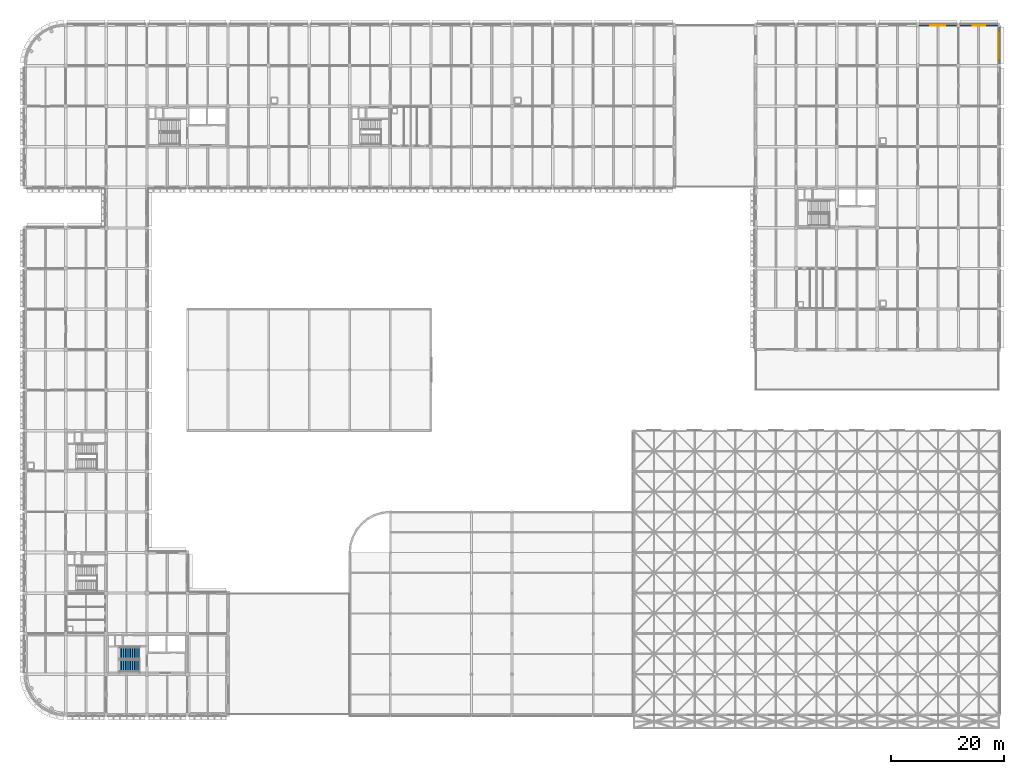
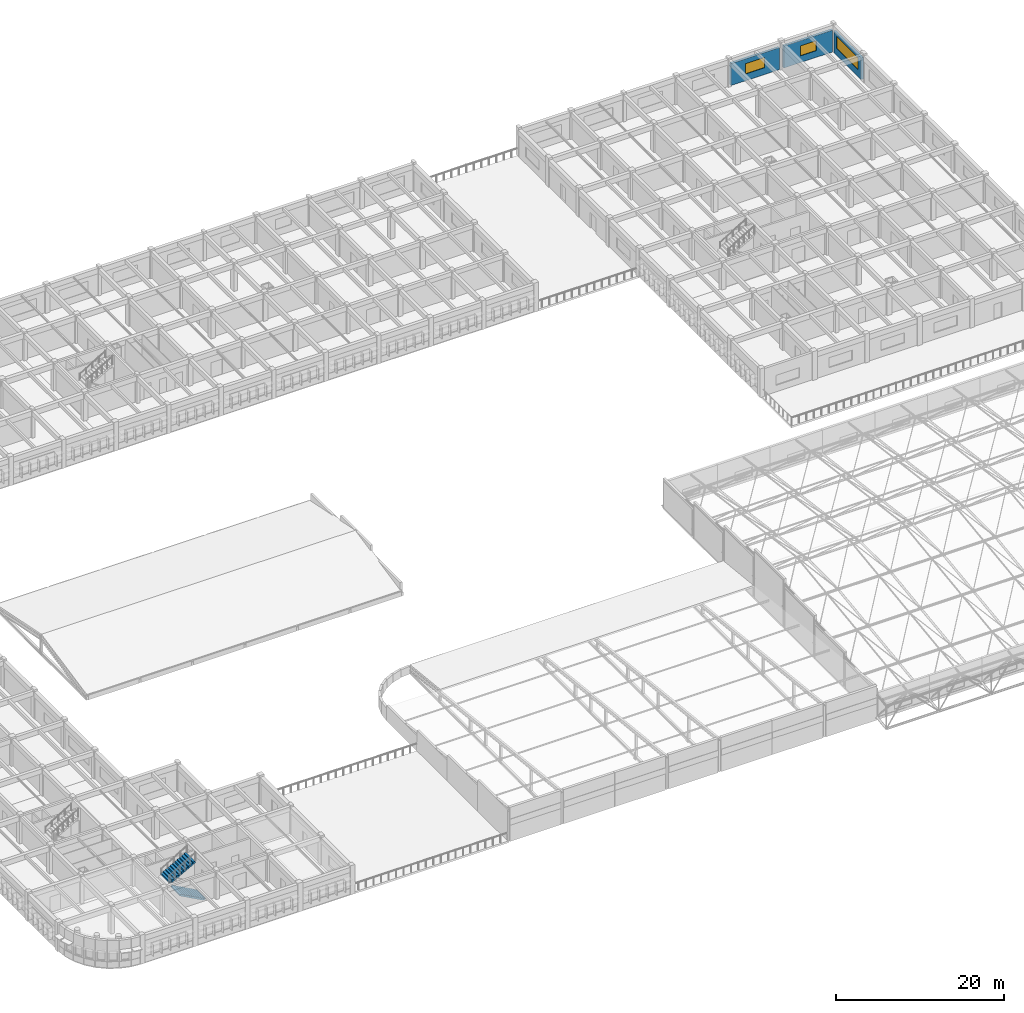
# One storey, part 95 of 103: 3 walls, 3 windows, 2 stair flights, 3 openings, 1 element without a shape of its own.
"""IFC4 building model written with IfcOpenShell, lengths in metres."""

from ifc_helpers import new_model, si_unit, direction, frame, frame_2d, origin, place, context, subcontext, project, spatial, polyline, rectangle, outline, extrude, material, layer, layer_set, type_object, element, fill, aggregate, save


model = new_model("IFC4")

# Units and contexts
model_context = context("Model", 3, precision=1e-05, world=origin(), true_north=direction((0.0, 1.0)))
body_context = subcontext(model_context, "Body", "Model", "MODEL_VIEW")
ifc_project = project(units=[si_unit("LENGTHUNIT", "METRE"), si_unit("AREAUNIT", "SQUARE_METRE"), si_unit("VOLUMEUNIT", "CUBIC_METRE"), si_unit("PLANEANGLEUNIT", "RADIAN"), si_unit("MASSUNIT", "GRAM", prefix="KILO")], contexts=[model_context])

# Site, building, storey
site_placement = place(None, origin())
site = spatial("IfcSite", under=ifc_project, at=site_placement, CompositionType="ELEMENT")
building_placement = place(site_placement, origin())
building = spatial("IfcBuilding", under=site, at=building_placement, Name="Thalmaran Polytechnic", CompositionType="ELEMENT")
storey_placement = place(building_placement, frame((0.0, 0.0, 14.39990234375)))
storey = spatial("IfcBuildingStorey", under=building, at=storey_placement, Name="L03", CompositionType="ELEMENT", Elevation=14.39990234375)

# Wall, opening, window
ifc_material_1 = material(Name="Precast concrete C40/50", Category="concrete")
ifc_layer = layer(ifc_material_1, 0.31005859375, Name="Precast concrete C40/50")
ifc_layer_set = layer_set([ifc_layer], Name="Precast concrete C40/50")
wall_type = type_object("IfcWallType", Name="WL-EW03", PredefinedType="STANDARD", material=ifc_layer_set)
wall_1_placement = place(storey_placement, frame((158.610107421875, 122.39990234375, 0.0), z_axis=(0.0, 0.0, 1.0), x_axis=(1.0, 0.0, 0.0)))
wall_1 = element("IfcWall", 1, at=wall_1_placement, inside=storey, type_object=wall_type, Name="Exterior Precast Facade Wall L03-008", PredefinedType="STANDARD", context=body_context, shape_type="SweptSolid", body=[
    extrude(rectangle(XDim=6.679931640625, YDim=0.31005859375, at=frame_2d((3.33984375, 0.0))), origin(), (0.0, 0.0, 1.0), 3.18505859375),
])
opening_1_placement = place(wall_1_placement, frame((2.0400390625, 0.0, 0.97998046875)))
opening_1 = element("IfcOpeningElement", 2, at=opening_1_placement, cuts=wall_1, Name="Opening VW05", PredefinedType="OPENING", context=body_context, shape_type="SweptSolid", body=[
    extrude(rectangle(XDim=2.60009765625, YDim=1.5, at=frame_2d((1.300048828125, 0.75))), frame((0.0, 0.1650390625, 0.0), z_axis=(0.0, -1.0, 0.0), x_axis=(1.0, 0.0, 0.0)), (0.0, 0.0, 1.0), 0.330078125),
])
ifc_material_2 = material(Name="Thermally broken aluminium and double low-E glass", Category="aluminium")
window_type_1 = type_object("IfcWindowType", Name="WN-VZ05", PartitioningType="DOUBLE_PANEL_VERTICAL", PredefinedType="WINDOW", material=ifc_material_2)
window_1_placement = place(opening_1_placement, origin())
window_1 = element("IfcWindow", 3, at=window_1_placement, inside=storey, type_object=window_type_1, Name="Streamline Ribbon Window W-0397", OverallHeight=1.5, OverallWidth=2.60009765625, PartitioningType="SINGLE_PANEL", PredefinedType="WINDOW", context=body_context, shape_type="SweptSolid", body=[
    extrude(rectangle(XDim=2.60009765625, YDim=1.5, at=frame_2d((1.300048828125, 0.75))), frame((0.0, -0.030029296875, 0.0), z_axis=(0.0, -1.0, 0.0), x_axis=(1.0, 0.0, 0.0)), (0.0, 0.0, 1.0), 0.06005859375),
])
fill(opening_1, window_1)

wall_2_placement = place(storey_placement, frame((165.909912109375, 122.39990234375, 0.0), z_axis=(0.0, 0.0, 1.0), x_axis=(1.0, 0.0, 0.0)))
wall_2 = element("IfcWall", 4, at=wall_2_placement, inside=storey, type_object=wall_type, Name="Exterior Precast Facade Wall L03-009", PredefinedType="STANDARD", context=body_context, shape_type="SweptSolid", body=[
    extrude(rectangle(XDim=6.68017578125, YDim=0.31005859375, at=frame_2d((3.340087890625, 0.0))), origin(), (0.0, 0.0, 1.0), 3.18505859375),
])
opening_2_placement = place(wall_2_placement, frame((2.239990234375, 0.0, 0.97998046875)))
opening_2 = element("IfcOpeningElement", 5, at=opening_2_placement, cuts=wall_2, Name="Opening VW06", PredefinedType="OPENING", context=body_context, shape_type="SweptSolid", body=[
    extrude(rectangle(XDim=2.199951171875, YDim=1.449951171875, at=frame_2d((1.10009765625, 0.72509765625))), frame((0.0, 0.1650390625, 0.0), z_axis=(0.0, -1.0, 0.0), x_axis=(1.0, 0.0, 0.0)), (0.0, 0.0, 1.0), 0.330078125),
])
window_type_2 = type_object("IfcWindowType", Name="WN-VZ06", PartitioningType="DOUBLE_PANEL_VERTICAL", PredefinedType="WINDOW", material=ifc_material_2)
window_2_placement = place(opening_2_placement, origin())
window_2 = element("IfcWindow", 6, at=window_2_placement, inside=storey, type_object=window_type_2, Name="Streamline Ribbon Window W-0398", OverallHeight=1.449951171875, OverallWidth=2.199951171875, PartitioningType="SINGLE_PANEL", PredefinedType="WINDOW", context=body_context, shape_type="SweptSolid", body=[
    extrude(rectangle(XDim=2.199951171875, YDim=1.449951171875, at=frame_2d((1.10009765625, 0.72509765625))), frame((0.0, -0.030029296875, 0.0), z_axis=(0.0, -1.0, 0.0), x_axis=(1.0, 0.0, 0.0)), (0.0, 0.0, 1.0), 0.06005859375),
])
fill(opening_2, window_2)

wall_3_placement = place(storey_placement, frame((172.800048828125, 122.080078125, 0.0), z_axis=(0.0, 0.0, 1.0), x_axis=(0.0, -1.0, 0.0)))
wall_3 = element("IfcWall", 7, at=wall_3_placement, inside=storey, type_object=wall_type, Name="Exterior Precast Facade Wall L03-010", PredefinedType="STANDARD", context=body_context, shape_type="SweptSolid", body=[
    extrude(rectangle(XDim=6.505126953125, YDim=0.31005859375, at=frame_2d((3.25244140625, 0.0))), origin(), (0.0, 0.0, 1.0), 3.135009765625),
])
opening_3_placement = place(wall_3_placement, frame((0.702392578125, 0.0, 0.97998046875)))
opening_3 = element("IfcOpeningElement", 8, at=opening_3_placement, cuts=wall_3, Name="Opening VW15", PredefinedType="OPENING", context=body_context, shape_type="SweptSolid", body=[
    extrude(rectangle(XDim=5.10009765625, YDim=1.75, at=frame_2d((2.550048828125, 0.875))), frame((0.0, 0.1650390625, 0.0), z_axis=(0.0, -1.0, 0.0), x_axis=(1.0, 0.0, 0.0)), (0.0, 0.0, 1.0), 0.330078125),
])
window_type_3 = type_object("IfcWindowType", Name="WN-VZ15", PartitioningType="TRIPLE_PANEL_HORIZONTAL", PredefinedType="WINDOW", material=ifc_material_2)
window_3_placement = place(opening_3_placement, origin())
window_3 = element("IfcWindow", 9, at=window_3_placement, inside=storey, type_object=window_type_3, Name="Streamline Ribbon Window W-0399", OverallHeight=1.75, OverallWidth=5.10009765625, PartitioningType="SINGLE_PANEL", PredefinedType="WINDOW", context=body_context, shape_type="SweptSolid", body=[
    extrude(rectangle(XDim=5.10009765625, YDim=1.75, at=frame_2d((2.550048828125, 0.875))), frame((0.0, -0.030029296875, 0.0), z_axis=(0.0, -1.0, 0.0), x_axis=(1.0, 0.0, 0.0)), (0.0, 0.0, 1.0), 0.06005859375),
])
fill(opening_3, window_3)

# Stair, stair flights
ifc_material_3 = material(Name="Concrete C40/50", Category="concrete")
stair_type = type_object("IfcStairType", Name="ST-HT42", PredefinedType="HALF_TURN_STAIR", material=ifc_material_3)
stair_placement = place(storey_placement, origin())
stair = element("IfcStair", 10, at=stair_placement, inside=storey, type_object=stair_type, Name="Exit Stair ST1 L03", PredefinedType="HALF_TURN_STAIR")
stair_flight_type = type_object("IfcStairFlightType", Name="SF-FL13", PredefinedType="STRAIGHT", material=ifc_material_3)
stair_flight_1_placement = place(storey_placement, frame((20.320068359375, 8.56005859375, 0.0), z_axis=(0.0, 0.0, 1.0), x_axis=(-1.0, 0.0, 0.0)))
stair_flight_1 = element("IfcStairFlight", 11, at=stair_flight_1_placement, type_object=stair_flight_type, Name="Stair Flight ST1 L03 Lower", NumberOfRisers=12, NumberOfTreads=11, PredefinedType="STRAIGHT", RiserHeight=0.175, TreadLength=0.32, context=body_context, shape_type="SweptSolid", body=[
    extrude(outline(polyline([(0.0, 0.0), (0.0, 0.175048828125), (0.320068359375, 0.175048828125), (0.320068359375, 0.35009765625), (0.639892578125, 0.35009765625), (0.639892578125, 0.52490234375), (0.9599609375, 0.52490234375), (0.9599609375, 0.699951171875), (1.280029296875, 0.699951171875), (1.280029296875, 0.875), (1.60009765625, 0.875), (1.60009765625, 1.050048828125), (1.919921875, 1.050048828125), (1.919921875, 1.22509765625), (2.239990234375, 1.22509765625), (2.239990234375, 1.39990234375), (2.56005859375, 1.39990234375), (2.56005859375, 1.574951171875), (2.8798828125, 1.574951171875), (2.8798828125, 1.75), (3.199951171875, 1.75), (3.199951171875, 1.925048828125), (3.52001953125, 1.925048828125), (3.52001953125, 2.10009765625), (3.52001953125, 1.719970703125), (0.375, 0.0), (0.0, 0.0)])), frame((0.0, 1.080078125, 0.0), z_axis=(0.0, -1.0, 0.0), x_axis=(1.0, 0.0, 0.0)), (0.0, 0.0, 1.0), 2.159912109375),
])
stair_flight_2_placement = place(storey_placement, frame((16.800048828125, 11.02001953125, 2.10009765625), z_axis=(0.0, 0.0, 1.0), x_axis=(1.0, 0.0, 0.0)))
stair_flight_2 = element("IfcStairFlight", 12, at=stair_flight_2_placement, type_object=stair_flight_type, Name="Stair Flight ST1 L03 Upper", NumberOfRisers=12, NumberOfTreads=11, PredefinedType="STRAIGHT", RiserHeight=0.175, TreadLength=0.32, context=body_context, shape_type="SweptSolid", body=[
    extrude(outline(polyline([(0.0, 0.0), (0.0, 0.175048828125), (0.320068359375, 0.175048828125), (0.320068359375, 0.35009765625), (0.639892578125, 0.35009765625), (0.639892578125, 0.52490234375), (0.9599609375, 0.52490234375), (0.9599609375, 0.699951171875), (1.280029296875, 0.699951171875), (1.280029296875, 0.875), (1.60009765625, 0.875), (1.60009765625, 1.050048828125), (1.919921875, 1.050048828125), (1.919921875, 1.22509765625), (2.239990234375, 1.22509765625), (2.239990234375, 1.39990234375), (2.56005859375, 1.39990234375), (2.56005859375, 1.574951171875), (2.8798828125, 1.574951171875), (2.8798828125, 1.75), (3.199951171875, 1.75), (3.199951171875, 1.925048828125), (3.52001953125, 1.925048828125), (3.52001953125, 2.10009765625), (3.52001953125, 1.719970703125), (0.375, 0.0), (0.0, 0.0)])), frame((0.0, 1.080078125, 0.0), z_axis=(0.0, -1.0, 0.0), x_axis=(1.0, 0.0, 0.0)), (0.0, 0.0, 1.0), 2.159912109375),
])
aggregate(stair, [stair_flight_1, stair_flight_2])

save(model, "model.ifc")
